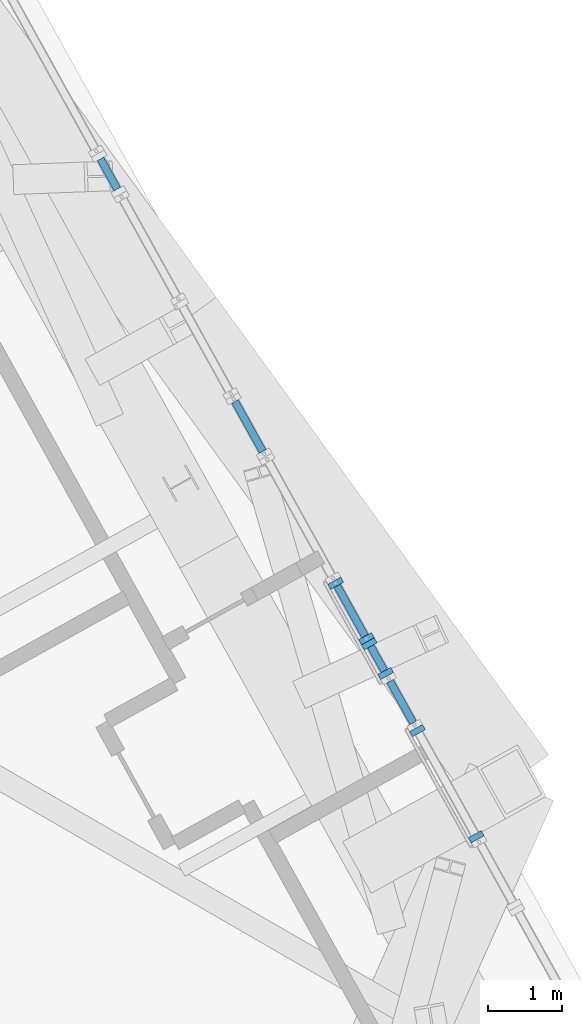
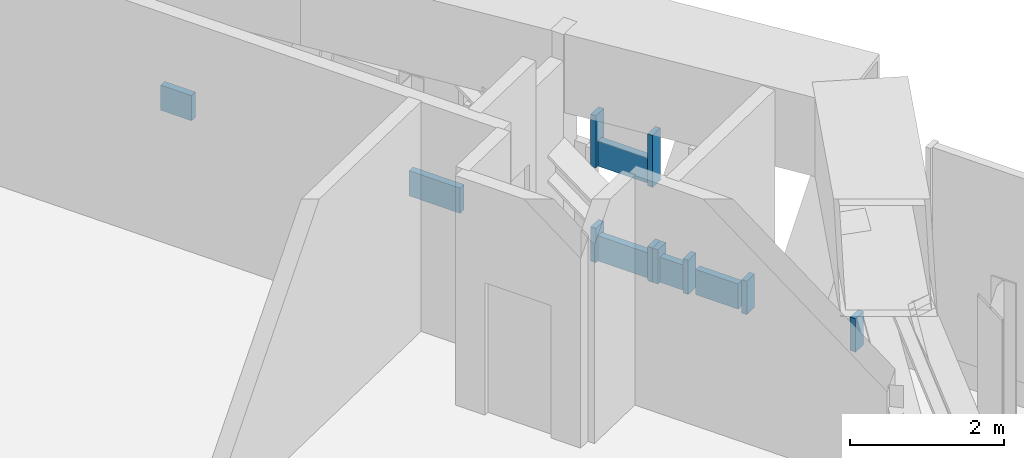
# One storey, part 11 of 28: 14 members, 7 elements without a shape of their own.
"""IFC4 building model written with IfcOpenShell, lengths in metres."""

from ifc_helpers import new_model, si_unit, direction, frame, origin, origin_2d, place, context, subcontext, project, spatial, rectangle, extrude, source, transform, mapped, material, material_profile, profile_set, type_object, element, aggregate, save


model = new_model("IFC4")

# Units and contexts
model_context = context("Model", 3, precision=1e-05, world=origin(), true_north=direction((0.0, 1.0)))
body_context = subcontext(model_context, "Body", "Model", "MODEL_VIEW")
ifc_project = project(units=[si_unit("LENGTHUNIT", "METRE"), si_unit("AREAUNIT", "SQUARE_METRE"), si_unit("VOLUMEUNIT", "CUBIC_METRE"), si_unit("PLANEANGLEUNIT", "RADIAN"), si_unit("MASSUNIT", "GRAM", prefix="KILO")], contexts=[model_context])

# Site, building, storey
site_placement = place(None, origin())
site = spatial("IfcSite", under=ifc_project, at=site_placement, CompositionType="ELEMENT")
building_placement = place(site_placement, origin())
building = spatial("IfcBuilding", under=site, at=building_placement, Name="Triune Harvest Tower", CompositionType="ELEMENT")
storey_placement = place(building_placement, frame((0.0, 0.0, 215.89990234375)))
storey = spatial("IfcBuildingStorey", under=building, at=storey_placement, Name="L56", CompositionType="ELEMENT", Elevation=215.89990234375)

# Curtain wall, member
ifc_material_1 = material(Name="Aluminium bronze anodised", Category="aluminium")
curtain_wall_type = type_object("IfcCurtainWallType", Name="CW-5 Plant louvre wall", PredefinedType="NOTDEFINED", material=ifc_material_1)
curtain_wall_1_placement = place(storey_placement, origin())
curtain_wall_1 = element("IfcCurtainWall", 1, at=curtain_wall_1_placement, inside=storey, type_object=curtain_wall_type, Name="CW-5 B5-F1 L56 run 1101")
ifc_material_2 = material(Name="Aluminium bronze anodised", Category="aluminium")
ifc_material_profile_1 = material_profile(ifc_material_2, rectangle(XDim=0.10009765625, YDim=0.39990234375, at=origin_2d()), Name="TR-5 transom 100 x 400")
ifc_profile_set_1 = profile_set([ifc_material_profile_1], Name="Aluminium bronze anodised")
member_type_1 = type_object("IfcMemberType", Name="TR-5 transom 100 x 400", PredefinedType="USERDEFINED", material=ifc_profile_set_1)
member_1_placement = place(storey_placement, frame((23.3896484375, 0.45361328125, 0.2001953125), z_axis=(-0.484493701169, 0.874794749371, 0.0), x_axis=(-0.874794749371, -0.484493701169, 0.0)))
member_1 = element("IfcMember", 2, at=member_1_placement, type_object=member_type_1, Name="CW-5 transom B5-F1 1101.1", ObjectType="TRANSOM", PredefinedType="USERDEFINED", context=body_context, shape_type="SweptSolid", body=[
    extrude(rectangle(XDim=0.10009765625, YDim=0.39990234375, at=origin_2d()), origin(), (0.0, 0.0, 1.0), 0.46923828125),
])
aggregate(curtain_wall_1, [member_1])

# Curtain wall, members
curtain_wall_2_placement = place(storey_placement, origin())
curtain_wall_2 = element("IfcCurtainWall", 3, at=curtain_wall_2_placement, inside=storey, type_object=curtain_wall_type, Name="CW-5 B5-F1 L56 run 201")
ifc_material_3 = material(Name="Aluminium bronze anodised", Category="aluminium")
ifc_material_profile_2 = material_profile(ifc_material_3, rectangle(XDim=0.199951171875, YDim=0.080078125, at=origin_2d()), Name="MU-5 mullion 80 x 200")
ifc_profile_set_2 = profile_set([ifc_material_profile_2], Name="Aluminium bronze anodised")
member_type_2 = type_object("IfcMemberType", Name="MU-5 mullion 80 x 200", PredefinedType="MULLION", material=ifc_profile_set_2)
shared_shape_1 = source(origin(), body_context, "Body", "SweptSolid", [
    extrude(rectangle(XDim=0.199951171875, YDim=0.080078125, at=origin_2d()), origin(), (0.0, 0.0, 1.0), 0.53125),
])
member_2_placement = place(storey_placement, frame((28.263916015625, -8.33984375, 0.0), z_axis=(0.0, 0.0, 1.0), x_axis=(-0.874634673111, -0.484782619936, 0.0)))
member_2 = element("IfcMember", 4, at=member_2_placement, type_object=member_type_2, Name="CW-5 mullion B5-F1 201.1", PredefinedType="MULLION", context=body_context, shape_type="MappedRepresentation", body=[
    mapped(shared_shape_1, transform((0.0, 0.0, 0.0), scale=1.0)),
])
member_3_placement = place(storey_placement, frame((27.46533203125, -6.89892578125, 0.0), z_axis=(0.0, 0.0, 1.0), x_axis=(-0.874634673111, -0.484782619936, 0.0)))
member_3 = element("IfcMember", 5, at=member_3_placement, type_object=member_type_2, Name="CW-5 mullion B5-F1 201.2", PredefinedType="MULLION", context=body_context, shape_type="MappedRepresentation", body=[
    mapped(shared_shape_1, transform((0.0, 0.0, 0.0), scale=1.0)),
])
aggregate(curtain_wall_2, [member_2, member_3])

# Curtain wall, member
curtain_wall_3_placement = place(storey_placement, origin())
curtain_wall_3 = element("IfcCurtainWall", 6, at=curtain_wall_3_placement, inside=storey, type_object=curtain_wall_type, Name="CW-5 B5-F1 L56 run 301")
shared_shape_2 = source(origin(), body_context, "Body", "SweptSolid", [
    extrude(rectangle(XDim=0.10009765625, YDim=0.39990234375, at=origin_2d()), origin(), (0.0, 0.0, 1.0), 0.647705078125),
])
member_4_placement = place(storey_placement, frame((27.4072265625, -6.7939453125, 0.2001953125), z_axis=(-0.485098789135, 0.874459355705, 0.0), x_axis=(-0.874459355705, -0.485098789135, 0.0)))
member_4 = element("IfcMember", 7, at=member_4_placement, type_object=member_type_1, Name="CW-5 transom B5-F1 301.1", ObjectType="TRANSOM", PredefinedType="USERDEFINED", context=body_context, shape_type="MappedRepresentation", body=[
    mapped(shared_shape_2, transform((0.0, 0.0, 0.0), scale=1.0)),
])
aggregate(curtain_wall_3, [member_4])

# Curtain wall, members
curtain_wall_4_placement = place(storey_placement, origin())
curtain_wall_4 = element("IfcCurtainWall", 8, at=curtain_wall_4_placement, inside=storey, type_object=curtain_wall_type, Name="CW-5 B5-F1 L56 run 401")
shared_shape_3 = source(origin(), body_context, "Body", "SweptSolid", [
    extrude(rectangle(XDim=0.199951171875, YDim=0.080078125, at=origin_2d()), origin(), (0.0, 0.0, 1.0), 0.54443359375),
])
member_5_placement = place(storey_placement, frame((27.034912109375, -6.12255859375, 0.0), z_axis=(0.0, 0.0, 1.0), x_axis=(-0.874654839832, -0.484746233774, 0.0)))
member_5 = element("IfcMember", 9, at=member_5_placement, type_object=member_type_2, Name="CW-5 mullion B5-F1 401.1", PredefinedType="MULLION", context=body_context, shape_type="MappedRepresentation", body=[
    mapped(shared_shape_3, transform((0.0, 0.0, 0.0), scale=1.0)),
])
member_6_placement = place(storey_placement, frame((26.81201171875, -5.720458984375, 0.0), z_axis=(0.0, 0.0, 1.0), x_axis=(-0.874654839832, -0.484746233774, 0.0)))
member_6 = element("IfcMember", 10, at=member_6_placement, type_object=member_type_2, Name="CW-5 mullion B5-F1 401.2", PredefinedType="MULLION", context=body_context, shape_type="MappedRepresentation", body=[
    mapped(shared_shape_3, transform((0.0, 0.0, 0.0), scale=1.0)),
])

curtain_wall_5_placement = place(storey_placement, origin())
curtain_wall_5 = element("IfcCurtainWall", 11, at=curtain_wall_5_placement, inside=storey, type_object=curtain_wall_type, Name="CW-5 B5-F1 L56 run 501")
member_7_placement = place(storey_placement, frame((26.773193359375, -5.650390625, 0.0), z_axis=(0.0, 0.0, 1.0), x_axis=(-0.874618566363, -0.484811678256, 0.0)))
member_7 = element("IfcMember", 12, at=member_7_placement, type_object=member_type_2, Name="CW-5 mullion B5-F1 501.1", PredefinedType="MULLION", context=body_context, shape_type="MappedRepresentation", body=[
    mapped(shared_shape_3, transform((0.0, 0.0, 0.0), scale=1.0)),
])
member_8_placement = place(storey_placement, frame((26.356201171875, -4.898193359375, 0.0), z_axis=(0.0, 0.0, 1.0), x_axis=(-0.874618566363, -0.484811678256, 0.0)))
member_8 = element("IfcMember", 13, at=member_8_placement, type_object=member_type_2, Name="CW-5 mullion B5-F1 501.2", PredefinedType="MULLION", context=body_context, shape_type="MappedRepresentation", body=[
    mapped(shared_shape_3, transform((0.0, 0.0, 0.0), scale=1.0)),
])

# Member
shared_shape_4 = source(origin(), body_context, "Body", "SweptSolid", [
    extrude(rectangle(XDim=0.10009765625, YDim=0.39990234375, at=origin_2d()), origin(), (0.0, 0.0, 1.0), 0.3798828125),
])
member_9_placement = place(storey_placement, frame((27.015625, -6.087646484375, 0.2001953125), z_axis=(-0.485097306714, 0.874460178063, 0.0), x_axis=(-0.874460178063, -0.485097306714, 0.0)))
member_9 = element("IfcMember", 14, at=member_9_placement, type_object=member_type_1, Name="CW-5 transom B5-F1 401.1", ObjectType="TRANSOM", PredefinedType="USERDEFINED", context=body_context, shape_type="MappedRepresentation", body=[
    mapped(shared_shape_4, transform((0.0, 0.0, 0.0), scale=1.0)),
])

aggregate(curtain_wall_4, [member_5, member_6, member_9])

shared_shape_5 = source(origin(), body_context, "Body", "SweptSolid", [
    extrude(rectangle(XDim=0.10009765625, YDim=0.39990234375, at=origin_2d()), origin(), (0.0, 0.0, 1.0), 0.780029296875),
])
member_10_placement = place(storey_placement, frame((26.75390625, -5.615478515625, 0.2001953125), z_axis=(-0.484871998099, 0.874585127623, 0.0), x_axis=(-0.874585127623, -0.484871998099, 0.0)))
member_10 = element("IfcMember", 15, at=member_10_placement, type_object=member_type_1, Name="CW-5 transom B5-F1 501.1", ObjectType="TRANSOM", PredefinedType="USERDEFINED", context=body_context, shape_type="MappedRepresentation", body=[
    mapped(shared_shape_5, transform((0.0, 0.0, 0.0), scale=1.0)),
])

aggregate(curtain_wall_5, [member_7, member_8, member_10])

# Curtain wall, members
curtain_wall_6_placement = place(storey_placement, origin())
curtain_wall_6 = element("IfcCurtainWall", 16, at=curtain_wall_6_placement, inside=storey, type_object=curtain_wall_type, Name="CW-5 B5-F1 L56 run 601")
member_11_placement = place(storey_placement, frame((26.75390625, -5.615478515625, 1.70458984375), z_axis=(-0.484871998099, 0.874585127623, 0.0), x_axis=(-0.874585127623, -0.484871998099, 0.0)))
member_11 = element("IfcMember", 17, at=member_11_placement, type_object=member_type_1, Name="CW-5 transom B5-F1 601.1", ObjectType="TRANSOM", PredefinedType="USERDEFINED", context=body_context, shape_type="MappedRepresentation", body=[
    mapped(shared_shape_5, transform((0.0, 0.0, 0.0), scale=1.0)),
])
shared_shape_6 = source(origin(), body_context, "Body", "SweptSolid", [
    extrude(rectangle(XDim=0.199951171875, YDim=0.080078125, at=origin_2d()), origin(), (0.0, 0.0, 1.0), 0.825439453125),
])
member_12_placement = place(storey_placement, frame((26.773193359375, -5.650390625, 1.504638671875), z_axis=(0.0, 0.0, 1.0), x_axis=(-0.874618566363, -0.484811678256, 0.0)))
member_12 = element("IfcMember", 18, at=member_12_placement, type_object=member_type_2, Name="CW-5 mullion B5-F1 601.1", PredefinedType="MULLION", context=body_context, shape_type="MappedRepresentation", body=[
    mapped(shared_shape_6, transform((0.0, 0.0, 0.0), scale=1.0)),
])
member_13_placement = place(storey_placement, frame((26.356201171875, -4.898193359375, 1.504638671875), z_axis=(0.0, 0.0, 1.0), x_axis=(-0.874618566363, -0.484811678256, 0.0)))
member_13 = element("IfcMember", 19, at=member_13_placement, type_object=member_type_2, Name="CW-5 mullion B5-F1 601.2", PredefinedType="MULLION", context=body_context, shape_type="MappedRepresentation", body=[
    mapped(shared_shape_6, transform((0.0, 0.0, 0.0), scale=1.0)),
])
aggregate(curtain_wall_6, [member_12, member_13, member_11])

# Curtain wall, member
curtain_wall_7_placement = place(storey_placement, origin())
curtain_wall_7 = element("IfcCurtainWall", 20, at=curtain_wall_7_placement, inside=storey, type_object=curtain_wall_type, Name="CW-5 B5-F1 L56 run 801")
shared_shape_7 = source(origin(), body_context, "Body", "SweptSolid", [
    extrude(rectangle(XDim=0.10009765625, YDim=0.39990234375, at=origin_2d()), origin(), (0.0, 0.0, 1.0), 0.777587890625),
])
member_14_placement = place(storey_placement, frame((25.3642578125, -3.108642578125, 0.2001953125), z_axis=(-0.484736366229, 0.874660308494, 0.0), x_axis=(-0.874660308494, -0.484736366229, 0.0)))
member_14 = element("IfcMember", 21, at=member_14_placement, type_object=member_type_1, Name="CW-5 transom B5-F1 801.1", ObjectType="TRANSOM", PredefinedType="USERDEFINED", context=body_context, shape_type="MappedRepresentation", body=[
    mapped(shared_shape_7, transform((0.0, 0.0, 0.0), scale=1.0)),
])
aggregate(curtain_wall_7, [member_14])

save(model, "model.ifc")
